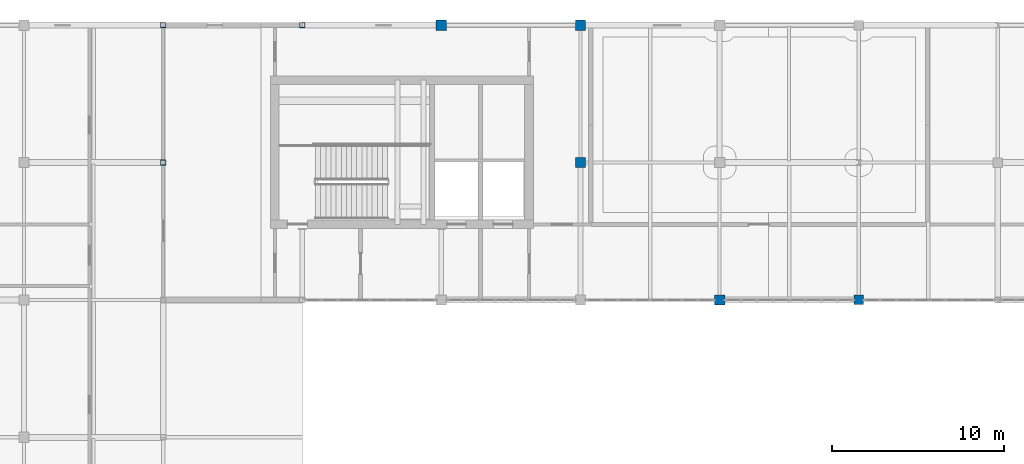
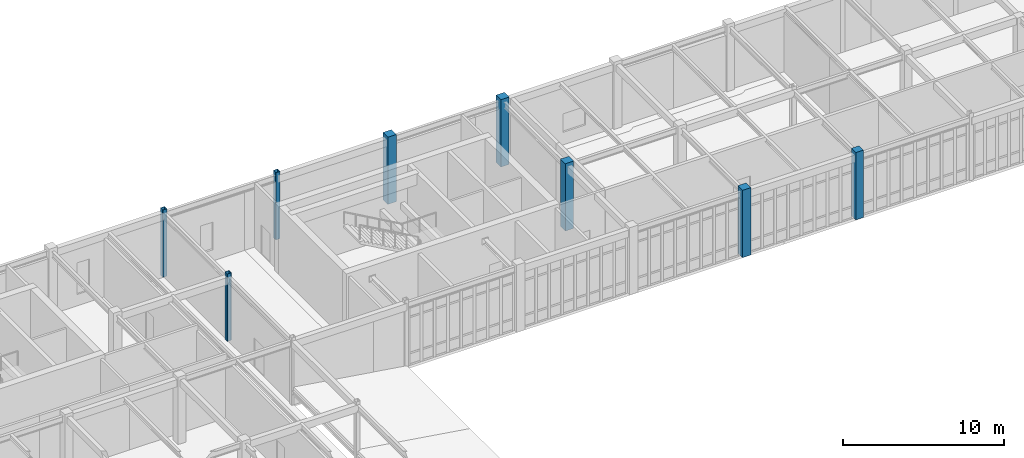
# One storey, part 7 of 70: 8 columns.
"""IFC4 building model written with IfcOpenShell, lengths in metres."""

from ifc_helpers import new_model, si_unit, direction, frame, origin, origin_2d, place, context, subcontext, project, spatial, rectangle, hollow_rectangle, extrude, material, material_profile, profile_set, type_object, element, save


model = new_model("IFC4")

# Units and contexts
model_context = context("Model", 3, precision=1e-05, world=origin(), true_north=direction((0.0, 1.0)))
body_context = subcontext(model_context, "Body", "Model", "MODEL_VIEW")
ifc_project = project(units=[si_unit("LENGTHUNIT", "METRE"), si_unit("AREAUNIT", "SQUARE_METRE"), si_unit("VOLUMEUNIT", "CUBIC_METRE"), si_unit("PLANEANGLEUNIT", "RADIAN"), si_unit("MASSUNIT", "GRAM", prefix="KILO")], contexts=[model_context])

# Site, building, storey
site_placement = place(None, origin())
site = spatial("IfcSite", under=ifc_project, at=site_placement, CompositionType="ELEMENT")
building_placement = place(site_placement, origin())
building = spatial("IfcBuilding", under=site, at=building_placement, Name="Tarnveldt Square Police Headquarters", CompositionType="ELEMENT")
storey_placement = place(building_placement, frame((0.0, 0.0, 19.800048828125)))
storey = spatial("IfcBuildingStorey", under=building, at=storey_placement, Name="L04", CompositionType="ELEMENT", Elevation=19.800048828125)

# Columns
ifc_material_1 = material(Name="Steel 350W", Category="steel")
ifc_material_profile_1 = material_profile(ifc_material_1, hollow_rectangle(XDim=0.3046875, YDim=0.3046875, WallThickness=0.015869140625, InnerFilletRadius=0.015869140625, OuterFilletRadius=0.03173828125, at=origin_2d()), Name="HSS305x305x16")
ifc_profile_set_1 = profile_set([ifc_material_profile_1], Name="Steel 350W")
column_type_1 = type_object("IfcColumnType", Name="COL-HSS305x16", PredefinedType="COLUMN", material=ifc_profile_set_1)
for number, where, z_axis, x_axis, name in (
    (1, (40.5, 104.0, 0.0), (0.0, 0.0, 1.0), (1.0, 0.0, 0.0), "L04 Column 068"),
    (2, (40.5, 112.0, 0.0), (0.0, 0.0, 1.0), (1.0, 0.0, 0.0), "L04 Column 069"),
    (3, (48.60009765625, 112.0, 0.0), (0.0, 0.0, 1.0), (1.0, 0.0, 0.0), "L04 Column 080"),
):
    element("IfcColumn", number, at=place(storey_placement, frame(where, z_axis=z_axis, x_axis=x_axis)), inside=storey, type_object=column_type_1, Name=name, PredefinedType="COLUMN", context=body_context, shape_type="SweptSolid", body=[
        extrude(hollow_rectangle(XDim=0.3046875, YDim=0.3046875, WallThickness=0.015869140625, InnerFilletRadius=0.015869140625, OuterFilletRadius=0.03173828125, at=origin_2d()), origin(), (0.0, 0.0, 1.0), 5.099853515625),
    ])
ifc_material_2 = material(Name="Concrete 40 MPa", Category="concrete")
ifc_material_profile_2 = material_profile(ifc_material_2, rectangle(XDim=0.550048828125, YDim=0.550048828125, at=origin_2d()), Name="RC-C550x550")
ifc_profile_set_2 = profile_set([ifc_material_profile_2], Name="Concrete 40 MPa")
column_type_2 = type_object("IfcColumnType", Name="COL-RC550", PredefinedType="COLUMN", material=ifc_profile_set_2)
column_placement = place(storey_placement, frame((81.0, 96.0, 0.0), z_axis=(0.0, 0.0, 1.0), x_axis=(1.0, 0.0, 0.0)))
element("IfcColumn", 4, at=column_placement, inside=storey, type_object=column_type_2, Name="L04 Column 124", PredefinedType="COLUMN", context=body_context, shape_type="SweptSolid", body=[
    extrude(rectangle(XDim=0.550048828125, YDim=0.550048828125, at=origin_2d()), origin(), (0.0, 0.0, 1.0), 5.099853515625),
])
ifc_material_profile_3 = material_profile(ifc_material_2, rectangle(XDim=0.60009765625, YDim=0.60009765625, at=origin_2d()), Name="RC-C600x600")
ifc_profile_set_3 = profile_set([ifc_material_profile_3], Name="Concrete 40 MPa")
column_type_3 = type_object("IfcColumnType", Name="COL-RC600", PredefinedType="COLUMN", material=ifc_profile_set_3)
for number, where, z_axis, x_axis, name in (
    (5, (56.699951171875, 112.0, 0.0), (0.0, 0.0, 1.0), (1.0, 0.0, 0.0), "L04 Column 093"),
    (6, (64.800048828125, 104.0, 0.0), (0.0, 0.0, 1.0), (1.0, 0.0, 0.0), "L04 Column 105"),
    (7, (64.800048828125, 112.0, 0.0), (0.0, 0.0, 1.0), (1.0, 0.0, 0.0), "L04 Column 106"),
    (8, (72.89990234375, 96.0, 0.0), (0.0, 0.0, 1.0), (1.0, 0.0, 0.0), "L04 Column 114"),
):
    element("IfcColumn", number, at=place(storey_placement, frame(where, z_axis=z_axis, x_axis=x_axis)), inside=storey, type_object=column_type_3, Name=name, PredefinedType="COLUMN", context=body_context, shape_type="SweptSolid", body=[
        extrude(rectangle(XDim=0.60009765625, YDim=0.60009765625, at=origin_2d()), origin(), (0.0, 0.0, 1.0), 5.099853515625),
    ])

save(model, "model.ifc")
